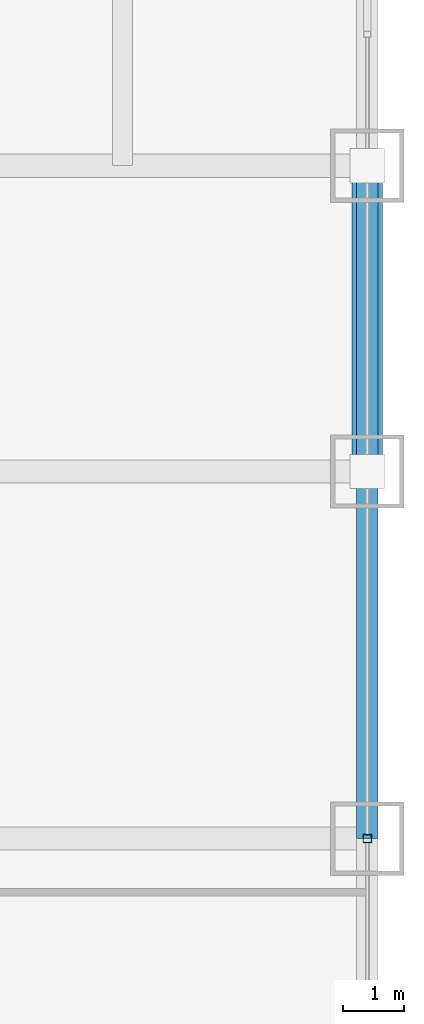
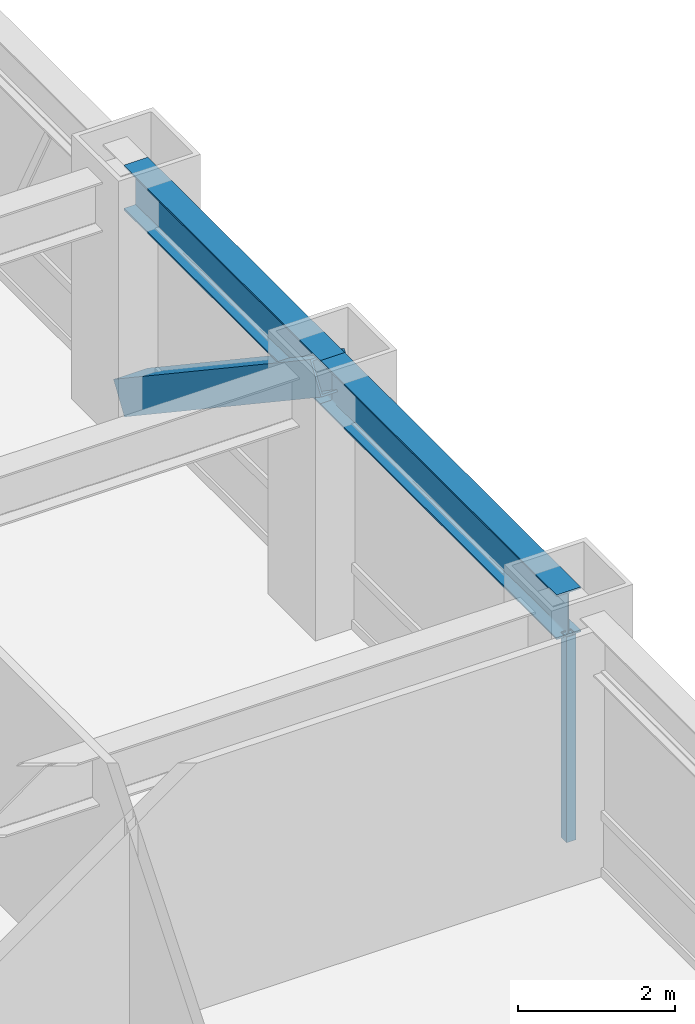
# One storey, part 14 of 28: 2 beams, 2 members, 1 element without a shape of its own.
"""IFC4 building model written with IfcOpenShell, lengths in metres."""

from ifc_helpers import new_model, si_unit, direction, frame, origin, origin_2d, place, context, subcontext, project, spatial, hollow_rectangle, i_section, extrude, source, transform, mapped, material, material_profile, profile_set, type_object, element, aggregate, save


model = new_model("IFC4")

# Units and contexts
model_context = context("Model", 3, precision=1e-05, world=origin(), true_north=direction((0.0, 1.0)))
body_context = subcontext(model_context, "Body", "Model", "MODEL_VIEW")
ifc_project = project(units=[si_unit("LENGTHUNIT", "METRE"), si_unit("AREAUNIT", "SQUARE_METRE"), si_unit("VOLUMEUNIT", "CUBIC_METRE"), si_unit("PLANEANGLEUNIT", "RADIAN"), si_unit("MASSUNIT", "GRAM", prefix="KILO")], contexts=[model_context])

# Site, building, storey
site_placement = place(None, origin())
site = spatial("IfcSite", under=ifc_project, at=site_placement, CompositionType="ELEMENT")
building_placement = place(site_placement, origin())
building = spatial("IfcBuilding", under=site, at=building_placement, Name="Khorayat Bourse Tower", CompositionType="ELEMENT")
storey_placement = place(building_placement, frame((0.0, 0.0, 120.10009765625)))
storey = spatial("IfcBuildingStorey", under=building, at=storey_placement, Name="L27", CompositionType="ELEMENT", Elevation=120.10009765625)

# Beams
ifc_material_1 = material(Name="Steel ASTM A992 Grade 50", Category="steel")
ifc_material_profile_1 = material_profile(ifc_material_1, i_section(OverallWidth=0.35498046875, OverallDepth=0.695068359375, WebThickness=0.015380859375, FlangeThickness=0.02490234375, FilletRadius=0.01806640625, at=origin_2d()), Name="W690X217")
ifc_profile_set_1 = profile_set([ifc_material_profile_1], Name="Steel ASTM A992 Grade 50")
beam_type = type_object("IfcBeamType", Name="BM-SPAN-690", PredefinedType="SPANDREL", material=ifc_profile_set_1)
shared_shape_1 = source(origin(), body_context, "Body", "SweptSolid", [
    extrude(i_section(OverallWidth=0.35498046875, OverallDepth=0.695068359375, WebThickness=0.015380859375, FlangeThickness=0.02490234375, FilletRadius=0.01806640625, at=origin_2d()), origin(), (0.0, 0.0, 1.0), 5.0),
])
beam_1_placement = place(storey_placement, frame((32.0, 6.0, 3.492431640625), z_axis=(0.0, 1.0, 0.0), x_axis=(-1.0, 0.0, 0.0)))
element("IfcBeam", 1, at=beam_1_placement, inside=storey, type_object=beam_type, Name="L27 BM-SPAN-690 BM-L27-SPN-039", PredefinedType="SPANDREL", context=body_context, shape_type="MappedRepresentation", body=[
    mapped(shared_shape_1, transform((0.0, 0.0, 0.0), scale=1.0)),
])
shared_shape_2 = source(origin(), body_context, "Body", "SweptSolid", [
    extrude(i_section(OverallWidth=0.35498046875, OverallDepth=0.695068359375, WebThickness=0.015380859375, FlangeThickness=0.02490234375, FilletRadius=0.01806640625, at=origin_2d()), origin(), (0.0, 0.0, 1.0), 6.0),
])
beam_2_placement = place(storey_placement, frame((32.0, 0.0, 3.492431640625), z_axis=(0.0, 1.0, 0.0), x_axis=(-1.0, 0.0, 0.0)))
element("IfcBeam", 2, at=beam_2_placement, inside=storey, type_object=beam_type, Name="L27 BM-SPAN-690 BM-L27-SPN-038", PredefinedType="SPANDREL", context=body_context, shape_type="MappedRepresentation", body=[
    mapped(shared_shape_2, transform((0.0, 0.0, 0.0), scale=1.0)),
])

# Member
ifc_material_2 = material(Name="Steel EN 10025-4 S460M", Category="steel")
ifc_material_profile_2 = material_profile(ifc_material_2, hollow_rectangle(XDim=0.5, YDim=0.5, WallThickness=0.028076171875, at=origin_2d()), Name="HSS 500x500x28")
ifc_profile_set_2 = profile_set([ifc_material_profile_2], Name="Steel EN 10025-4 S460M")
member_type_1 = type_object("IfcMemberType", Name="MBR-TUBE-500", PredefinedType="BRACE", material=ifc_profile_set_2)
shared_shape_3 = source(origin(), body_context, "Body", "SweptSolid", [
    extrude(hollow_rectangle(XDim=0.5, YDim=0.5, WallThickness=0.028076171875, at=origin_2d()), origin(), (0.0, 0.0, 1.0), 6.012939453125),
])
member_1_placement = place(storey_placement, frame((32.0, 6.0, 3.58984375), z_axis=(0.0, 0.831550226979, -0.555449565677), x_axis=(-1.0, 0.0, 0.0)))
element("IfcMember", 3, at=member_1_placement, inside=storey, type_object=member_type_1, Name="L27 Perimeter Tube Brace 08", PredefinedType="BRACE", context=body_context, shape_type="MappedRepresentation", body=[
    mapped(shared_shape_3, transform((0.0, 0.0, 0.0), scale=1.0)),
])

# Curtain wall, member
ifc_material_3 = material(Name="Aluminium EN AW-6063 T6", Category="aluminium")
curtain_wall_type = type_object("IfcCurtainWallType", Name="CW-SYS-02", PredefinedType="NOTDEFINED", material=ifc_material_3)
curtain_wall_placement = place(storey_placement, origin())
curtain_wall = element("IfcCurtainWall", 4, at=curtain_wall_placement, inside=storey, type_object=curtain_wall_type, Name="L27 Curtain Wall CW-L27-E1", PredefinedType="NOTDEFINED")
ifc_material_profile_3 = material_profile(ifc_material_3, hollow_rectangle(XDim=0.139892578125, YDim=0.139892578125, WallThickness=0.006103515625, at=origin_2d()), Name="ALU 140x140x6")
ifc_profile_set_3 = profile_set([ifc_material_profile_3], Name="Aluminium EN AW-6063 T6")
member_type_2 = type_object("IfcMemberType", Name="CWM-VERT-140", PredefinedType="MULLION", material=ifc_profile_set_3)
shared_shape_4 = source(origin(), body_context, "Body", "SweptSolid", [
    extrude(hollow_rectangle(XDim=0.139892578125, YDim=0.139892578125, WallThickness=0.006103515625, at=origin_2d()), origin(), (0.0, 0.0, 1.0), 3.18994140625),
])
member_2_placement = place(storey_placement, frame((32.0, 0.0, 0.0), z_axis=(0.0, 0.0, 1.0), x_axis=(-1.0, 0.0, 0.0)))
member_2 = element("IfcMember", 5, at=member_2_placement, type_object=member_type_2, Name="CW-L27-E1 Vertical Mullion 2", PredefinedType="MULLION", context=body_context, shape_type="MappedRepresentation", body=[
    mapped(shared_shape_4, transform((0.0, 0.0, 0.0), scale=1.0)),
])
aggregate(curtain_wall, [member_2])

save(model, "model.ifc")
